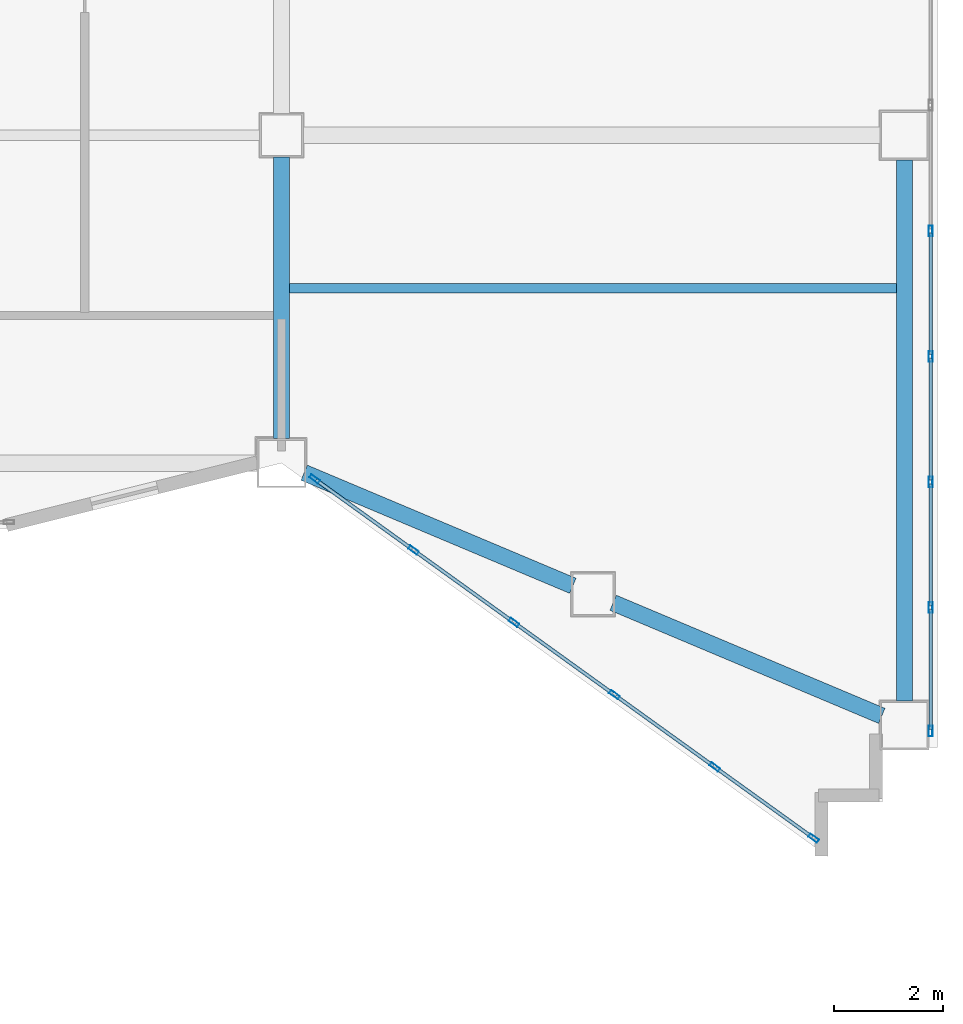
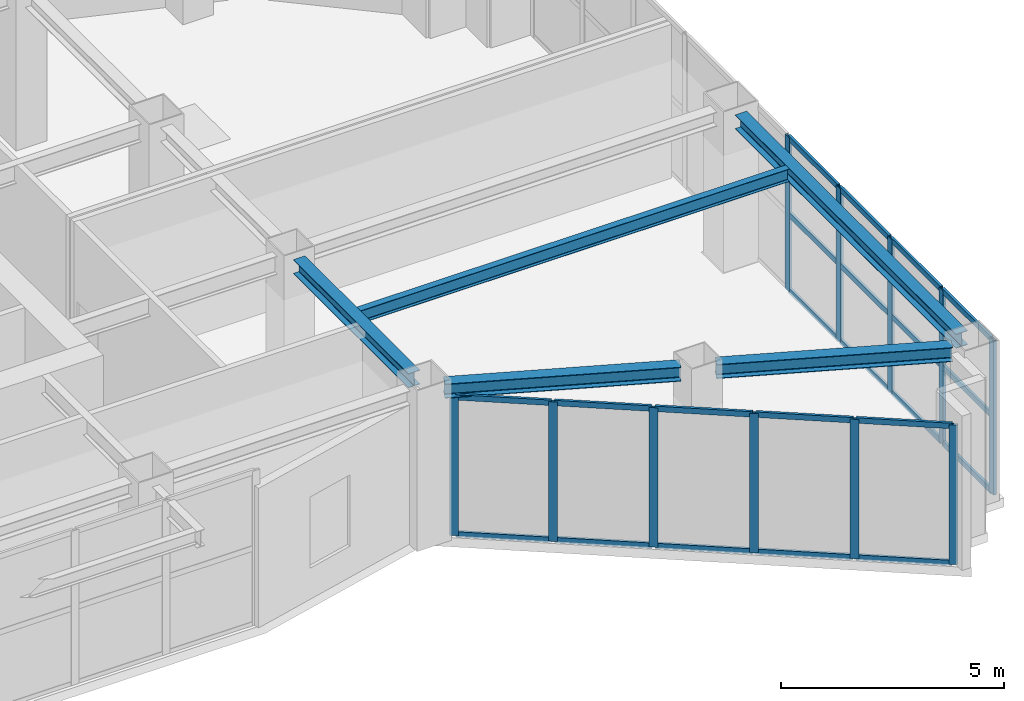
# One storey, part 5 of 16: 33 members, 5 beams, 2 elements without a shape of their own.
"""IFC4 building model written with IfcOpenShell, lengths in metres."""

import ifcopenshell
import ifcopenshell.guid

model = None  # the IFC model being written
_history = None  # IfcOwnerHistory: only IFC2X3 demands one
_inside = {}  # id of a spatial element -> (the spatial element, [elements in it])
_under = {}  # id of a project, library or spatial element -> (it, [spatial elements below it])
_declared = {}  # id of a project -> (the project, [libraries it declares])
_typed = {}  # id of a type object -> (the type object, [elements of that type])
_made_of = {}  # id of a material, layer set ... -> (it, [elements and type objects made of it])


def new_model(schema):
    """Start an empty IFC model of exactly this schema.

    Asked for "IFC4X3", IfcOpenShell would pick the latest addendum, in which some entities
    have other attributes; the version numbers below select the first issue.
    IFC2X3 requires an IfcOwnerHistory on every rooted entity: one is made here for all.
    """
    global model, _history
    if schema == "IFC4X3":
        model = ifcopenshell.file(schema_version=(4, 3, 0, 0))
    else:
        model = ifcopenshell.file(schema=schema)
    _inside.clear()
    _under.clear()
    _declared.clear()
    _typed.clear()
    _made_of.clear()
    _history = None
    if model.schema == "IFC2X3":
        org = make("IfcOrganization", Name="unknown")
        user = make(
            "IfcPersonAndOrganization",
            ThePerson=make("IfcPerson", FamilyName="unknown"),
            TheOrganization=org,
        )
        app = make(
            "IfcApplication",
            ApplicationDeveloper=org,
            Version="unknown",
            ApplicationFullName="unknown",
            ApplicationIdentifier="unknown",
        )
        _history = make(
            "IfcOwnerHistory",
            OwningUser=user,
            OwningApplication=app,
            ChangeAction="ADDED",
            CreationDate=0,
        )
    return model


def make(cls, **values):
    """One entity of the class cls with the attributes given. An attribute that is None is left unset."""
    return model.create_entity(
        cls, **{name: value for name, value in values.items() if value is not None}
    )


def rooted(cls, **values):
    """An entity with a GlobalId (a new one), such as an element, a storey or a relation."""
    return make(cls, GlobalId=ifcopenshell.guid.new(), OwnerHistory=_history, **values)


def si_unit(unit_type, name, prefix=None):
    """IfcSIUnit, for example si_unit("LENGTHUNIT", "METRE", prefix="MILLI")."""
    return make("IfcSIUnit", UnitType=unit_type, Prefix=prefix, Name=name)


def assignment(units):
    """IfcUnitAssignment: the units of a project."""
    return None if units is None else make("IfcUnitAssignment", Units=units)


def point(xyz):
    """IfcCartesianPoint."""
    return None if xyz is None else make("IfcCartesianPoint", Coordinates=xyz)


def direction(xyz):
    """IfcDirection."""
    return None if xyz is None else make("IfcDirection", DirectionRatios=xyz)


def frame(location, z_axis=None, x_axis=None):
    """IfcAxis2Placement3D, a coordinate frame: its origin and axes. An axis left out is left unset."""
    return make(
        "IfcAxis2Placement3D",
        Location=point(location),
        Axis=direction(z_axis),
        RefDirection=direction(x_axis),
    )


def frame_2d(location, x_axis=None):
    """IfcAxis2Placement2D, a coordinate frame in the plane: its origin and x axis."""
    return make(
        "IfcAxis2Placement2D", Location=point(location), RefDirection=direction(x_axis)
    )


def origin():
    """The frame at (0, 0, 0) with its axes left unset."""
    return frame((0.0, 0.0, 0.0))


def origin_2d():
    """The frame at (0, 0) in the plane with its x axis left unset."""
    return frame_2d((0.0, 0.0))


def place(relative_to, where):
    """IfcLocalPlacement: puts the frame where relative to a parent placement (None: the world)."""
    return make(
        "IfcLocalPlacement", PlacementRelTo=relative_to, RelativePlacement=where
    )


def context(
    kind, dimensions, precision=None, world=None, true_north=None, identifier=None
):
    """IfcGeometricRepresentationContext, for example the 3D "Model" context."""
    return make(
        "IfcGeometricRepresentationContext",
        ContextIdentifier=identifier,
        ContextType=kind,
        CoordinateSpaceDimension=dimensions,
        Precision=precision,
        WorldCoordinateSystem=world,
        TrueNorth=true_north,
    )


def subcontext(parent, identifier, kind, view, scale=None):
    """IfcGeometricRepresentationSubContext, for example "Body" below "Model"."""
    return make(
        "IfcGeometricRepresentationSubContext",
        ContextIdentifier=identifier,
        ContextType=kind,
        ParentContext=parent,
        TargetScale=scale,
        TargetView=view,
    )


def project(units=None, contexts=None):
    """IfcProject with its units and contexts."""
    return rooted(
        "IfcProject",
        Name="project",
        RepresentationContexts=contexts,
        UnitsInContext=assignment(units),
    )


def spatial(cls, under=None, at=None, **own):
    """A site, building, storey or space (cls), placed at a placement, below another one or the project."""
    s = rooted(cls, ObjectPlacement=at, **own)
    if under is not None:
        _under.setdefault(under.id(), (under, []))[1].append(s)
    return s


def profile(cls, at=None, kind="AREA", **sizes):
    """A parametric profile (cls). Its sizes go by their IFC names, for example OverallWidth=200.0."""
    return make(cls, ProfileType=kind, Position=at, **sizes)


def hollow_rectangle(**sizes):
    """IfcRectangleHollowProfileDef."""
    return profile("IfcRectangleHollowProfileDef", **sizes)


def i_section(**sizes):
    """IfcIShapeProfileDef."""
    return profile("IfcIShapeProfileDef", **sizes)


def extrude(swept, where, along, depth):
    """IfcExtrudedAreaSolid: the profile swept, set in the frame where, extruded along a direction by depth."""
    return make(
        "IfcExtrudedAreaSolid",
        SweptArea=swept,
        Position=where,
        ExtrudedDirection=direction(along),
        Depth=depth,
    )


def shape(context_of_items, identifier, shape_type, items):
    """IfcShapeRepresentation: the items that make up one representation, for example the "Body"."""
    return make(
        "IfcShapeRepresentation",
        ContextOfItems=context_of_items,
        RepresentationIdentifier=identifier,
        RepresentationType=shape_type,
        Items=items,
    )


def material(Name=None, Category=None):
    """IfcMaterial."""
    return make("IfcMaterial", Name=Name, Category=Category)


def layer(
    of_material, thickness, ventilated=None, Name=None, Category=None, Priority=None
):
    """IfcMaterialLayer: one layer of a wall or slab, of a material (None: an air gap)."""
    return make(
        "IfcMaterialLayer",
        Material=of_material,
        LayerThickness=thickness,
        IsVentilated=ventilated,
        Name=Name,
        Category=Category,
        Priority=Priority,
    )


def layer_set(layers, Name=None):
    """IfcMaterialLayerSet."""
    return make("IfcMaterialLayerSet", MaterialLayers=layers, LayerSetName=Name)


def material_profile(
    of_material, cross_section, Name=None, Category=None, Priority=None
):
    """IfcMaterialProfile: a cross section and its material."""
    return make(
        "IfcMaterialProfile",
        Name=Name,
        Material=of_material,
        Profile=cross_section,
        Priority=Priority,
        Category=Category,
    )


def profile_set(profiles, Name=None, composite=None):
    """IfcMaterialProfileSet."""
    return make(
        "IfcMaterialProfileSet",
        Name=Name,
        MaterialProfiles=profiles,
        CompositeProfile=composite,
    )


def made_of(thing, what):
    """Note that an element or type object is made of a material, layer set ...; save() writes the relation."""
    if what is not None:
        _made_of.setdefault(what.id(), (what, []))[1].append(thing)
    return thing


def type_object(cls, material=None, **own):
    """A type object (cls), such as IfcWallType, which elements share."""
    return made_of(rooted(cls, **own), material)


def element(
    cls,
    number,
    at=None,
    inside=None,
    cuts=None,
    type_object=None,
    material=None,
    context=None,
    identifier="Body",
    shape_type=None,
    held_by="IfcProductDefinitionShape",
    body=None,
    shapes=None,
    **own,
):
    """One element of the class cls, such as IfcWall. Its Tag is "e" and its number.

    at: its placement. inside: the storey or other place that contains it. cuts: it is an
    opening in that element (IfcRelVoidsElement). A single representation is given by context,
    identifier, shape_type and body (its items); several are given by shapes. held_by: the class
    of the entity that holds the representations. save() writes the other relations.
    """
    e = rooted(cls, Tag="e%d" % number, ObjectPlacement=at, **own)
    if body is not None:
        shapes = [shape(context, identifier, shape_type, body)]
    if shapes is not None:
        e.Representation = make(held_by, Representations=shapes)
    if inside is not None:
        _inside.setdefault(inside.id(), (inside, []))[1].append(e)
    if cuts is not None:
        rooted(
            "IfcRelVoidsElement", RelatingBuildingElement=cuts, RelatedOpeningElement=e
        )
    if type_object is not None:
        _typed.setdefault(type_object.id(), (type_object, []))[1].append(e)
    return made_of(e, material)


def aggregate(whole, parts):
    """IfcRelAggregates: a whole, such as a stair, and the parts it consists of."""
    return rooted("IfcRelAggregates", RelatingObject=whole, RelatedObjects=parts)


def save(model, path):
    """Write the relations noted so far, then the file.

    IfcRelAggregates (storeys below a building ...), IfcRelContainedInSpatialStructure (elements
    in a storey), IfcRelDefinesByType, IfcRelAssociatesMaterial and IfcRelDeclares: one each for
    every whole, place, type object, material and project.
    """
    for whole, parts in _under.values():
        aggregate(whole, parts)
    for where, things in _inside.values():
        rooted(
            "IfcRelContainedInSpatialStructure",
            RelatedElements=things,
            RelatingStructure=where,
        )
    for kind, things in _typed.values():
        rooted("IfcRelDefinesByType", RelatedObjects=things, RelatingType=kind)
    for what, things in _made_of.values():
        rooted("IfcRelAssociatesMaterial", RelatedObjects=things, RelatingMaterial=what)
    for by, libraries in _declared.values():
        rooted("IfcRelDeclares", RelatingContext=by, RelatedDefinitions=libraries)
    model.write(path)


model = new_model("IFC4")

# Units and contexts
model_context = context("Model", 3, precision=1e-05, world=origin(), true_north=direction((0.0, 1.0)))
body_context = subcontext(model_context, "Body", "Model", "MODEL_VIEW")
ifc_project = project(units=[si_unit("LENGTHUNIT", "METRE"), si_unit("AREAUNIT", "SQUARE_METRE"), si_unit("VOLUMEUNIT", "CUBIC_METRE"), si_unit("PLANEANGLEUNIT", "RADIAN"), si_unit("MASSUNIT", "GRAM", prefix="KILO")], contexts=[model_context])

# Site, building, storey
site_placement = place(None, origin())
site = spatial("IfcSite", under=ifc_project, at=site_placement, CompositionType="ELEMENT")
building_placement = place(site_placement, origin())
building = spatial("IfcBuilding", under=site, at=building_placement, Name="Haolan Belvedere Tower", CompositionType="ELEMENT")
storey_placement = place(building_placement, frame((0.0, 0.0, 164.60009765625)))
storey = spatial("IfcBuildingStorey", under=building, at=storey_placement, Name="L41", CompositionType="ELEMENT", Elevation=164.60009765625)

# Beams
ifc_material_1 = material(Name="Steel Q355B", Category="steel")
ifc_material_profile_1 = material_profile(ifc_material_1, i_section(OverallWidth=0.300048828125, OverallDepth=0.389892578125, WebThickness=0.010009765625, FlangeThickness=0.01611328125, FilletRadius=0.02197265625, at=origin_2d()), Name="Steel Q355B")
ifc_profile_set_1 = profile_set([ifc_material_profile_1], Name="Steel Q355B")
beam_type_1 = type_object("IfcBeamType", Name="BM-HM390x300x10x16", PredefinedType="SPANDREL", material=ifc_profile_set_1)
beam_1_placement = place(storey_placement, frame((52.800048828125, 22.050048828125, 4.02490234375), z_axis=(0.0, 1.0, 0.0), x_axis=(-1.0, 0.0, 0.0)))
element("IfcBeam", 1, at=beam_1_placement, inside=storey, type_object=beam_type_1, Name="L41 spandrel girder MC-T3-SE-TC-T3-E1", PredefinedType="SPANDREL", context=body_context, shape_type="SweptSolid", body=[
    extrude(i_section(OverallWidth=0.300048828125, OverallDepth=0.389892578125, WebThickness=0.010009765625, FlangeThickness=0.01611328125, FilletRadius=0.02197265625, at=origin_2d()), origin(), (0.0, 0.0, 1.0), 5.14990234375),
])
beam_2_placement = place(storey_placement, frame((64.199951171875, 17.25, 4.02490234375), z_axis=(0.0, 1.0, 0.0), x_axis=(-1.0, 0.0, 0.0)))
element("IfcBeam", 2, at=beam_2_placement, inside=storey, type_object=beam_type_1, Name="L41 spandrel girder MC-T4-SE-MC-T4-ME", PredefinedType="SPANDREL", context=body_context, shape_type="SweptSolid", body=[
    extrude(i_section(OverallWidth=0.300048828125, OverallDepth=0.389892578125, WebThickness=0.010009765625, FlangeThickness=0.01611328125, FilletRadius=0.02197265625, at=origin_2d()), origin(), (0.0, 0.0, 1.0), 9.89990234375),
])
for number, where, z_axis, x_axis, name in (
    (3, (53.21484375, 21.42529296875, 4.02490234375), (0.921637959557, -0.388050862006, 0.0), (0.388050862006, 0.921637959557, 0.0), "L41 spandrel girder MC-T3-SE-TC-T4-S1"),
    (4, (58.86865234375, 19.044677734375, 4.02490234375), (0.921637959557, -0.388050862006, 0.0), (0.388050862006, 0.921637959557, 0.0), "L41 spandrel girder TC-T4-S1-MC-T4-SE"),
):
    element("IfcBeam", number, at=place(storey_placement, frame(where, z_axis=z_axis, x_axis=x_axis)), inside=storey, type_object=beam_type_1, Name=name, PredefinedType="SPANDREL", context=body_context, shape_type="SweptSolid", body=[
        extrude(i_section(OverallWidth=0.300048828125, OverallDepth=0.389892578125, WebThickness=0.010009765625, FlangeThickness=0.01611328125, FilletRadius=0.02197265625, at=origin_2d()), origin(), (0.0, 0.0, 1.0), 5.33447265625),
    ])
ifc_material_profile_2 = material_profile(ifc_material_1, i_section(OverallWidth=0.175048828125, OverallDepth=0.35009765625, WebThickness=0.007080078125, FlangeThickness=0.010986328125, FilletRadius=0.012939453125, at=origin_2d()), Name="Steel Q355B")
ifc_profile_set_2 = profile_set([ifc_material_profile_2], Name="Steel Q355B")
beam_type_2 = type_object("IfcBeamType", Name="BM-HN350x175x7x11", PredefinedType="JOIST", material=ifc_profile_set_2)
beam_3_placement = place(storey_placement, frame((52.949951171875, 24.800048828125, 4.044921875), z_axis=(1.0, 0.0, 0.0), x_axis=(0.0, 1.0, 0.0)))
element("IfcBeam", 5, at=beam_3_placement, inside=storey, type_object=beam_type_2, Name="L41 east wing floor joist 1", PredefinedType="JOIST", context=body_context, shape_type="SweptSolid", body=[
    extrude(i_section(OverallWidth=0.175048828125, OverallDepth=0.35009765625, WebThickness=0.007080078125, FlangeThickness=0.010986328125, FilletRadius=0.012939453125, at=origin_2d()), origin(), (0.0, 0.0, 1.0), 11.10009765625),
])

# Curtain wall, members
ifc_material_2 = material(Name="Anodised champagne-silver aluminium 6063-T6 and Low-E glass", Category="aluminium")
ifc_layer = layer(ifc_material_2, 0.195068359375, Name="Anodised champagne-silver aluminium 6063-T6 and Low-E glass")
ifc_layer_set = layer_set([ifc_layer], Name="Anodised champagne-silver aluminium 6063-T6 and Low-E glass")
curtain_wall_type = type_object("IfcCurtainWallType", Name="CW-SYS-06", PredefinedType="NOTDEFINED", material=ifc_layer_set)
curtain_wall_1_placement = place(storey_placement, origin())
curtain_wall_1 = element("IfcCurtainWall", 6, at=curtain_wall_1_placement, inside=storey, type_object=curtain_wall_type, Name="L41 CW-SYS-06 ribbon curtain wall 3.1", PredefinedType="NOTDEFINED")
ifc_material_3 = material(Name="Anodised aluminium 6063-T6", Category="aluminium")
ifc_material_profile_3 = material_profile(ifc_material_3, hollow_rectangle(XDim=0.070068359375, YDim=0.195068359375, WallThickness=0.00390625, at=origin_2d()), Name="Anodised aluminium 6063-T6")
ifc_profile_set_3 = profile_set([ifc_material_profile_3], Name="Anodised aluminium 6063-T6")
member_type_1 = type_object("IfcMemberType", Name="CW-SYS-06-MUL", PredefinedType="MULLION", material=ifc_profile_set_3)
member_1_placement = place(storey_placement, frame((53.40673828125, 21.31103515625, 0.0), z_axis=(0.0, 0.0, 1.0), x_axis=(0.584297047396, 0.81153986988, 0.0)))
member_1 = element("IfcMember", 7, at=member_1_placement, type_object=member_type_1, Name="CW-06 mullion 1", PredefinedType="MULLION", context=body_context, shape_type="SweptSolid", body=[
    extrude(hollow_rectangle(XDim=0.070068359375, YDim=0.195068359375, WallThickness=0.00390625, at=origin_2d()), origin(), (0.0, 0.0, 1.0), 3.81494140625),
])
member_2_placement = place(storey_placement, frame((55.2158203125, 20.00830078125, 0.0), z_axis=(0.0, 0.0, 1.0), x_axis=(0.584297047396, 0.81153986988, 0.0)))
member_2 = element("IfcMember", 8, at=member_2_placement, type_object=member_type_1, Name="CW-06 mullion 2", PredefinedType="MULLION", context=body_context, shape_type="SweptSolid", body=[
    extrude(hollow_rectangle(XDim=0.070068359375, YDim=0.195068359375, WallThickness=0.00390625, at=origin_2d()), origin(), (0.0, 0.0, 1.0), 3.81494140625),
])
member_3_placement = place(storey_placement, frame((57.053466796875, 18.685302734375, 0.0), z_axis=(0.0, 0.0, 1.0), x_axis=(0.584297047396, 0.81153986988, 0.0)))
member_3 = element("IfcMember", 9, at=member_3_placement, type_object=member_type_1, Name="CW-06 mullion 3", PredefinedType="MULLION", context=body_context, shape_type="SweptSolid", body=[
    extrude(hollow_rectangle(XDim=0.070068359375, YDim=0.195068359375, WallThickness=0.00390625, at=origin_2d()), origin(), (0.0, 0.0, 1.0), 3.81494140625),
])
member_4_placement = place(storey_placement, frame((58.89111328125, 17.3623046875, 0.0), z_axis=(0.0, 0.0, 1.0), x_axis=(0.584297047396, 0.81153986988, 0.0)))
member_4 = element("IfcMember", 10, at=member_4_placement, type_object=member_type_1, Name="CW-06 mullion 4", PredefinedType="MULLION", context=body_context, shape_type="SweptSolid", body=[
    extrude(hollow_rectangle(XDim=0.070068359375, YDim=0.195068359375, WallThickness=0.00390625, at=origin_2d()), origin(), (0.0, 0.0, 1.0), 3.81494140625),
])
member_5_placement = place(storey_placement, frame((60.728759765625, 16.0390625, 0.0), z_axis=(0.0, 0.0, 1.0), x_axis=(0.584297047396, 0.81153986988, 0.0)))
member_5 = element("IfcMember", 11, at=member_5_placement, type_object=member_type_1, Name="CW-06 mullion 5", PredefinedType="MULLION", context=body_context, shape_type="SweptSolid", body=[
    extrude(hollow_rectangle(XDim=0.070068359375, YDim=0.195068359375, WallThickness=0.00390625, at=origin_2d()), origin(), (0.0, 0.0, 1.0), 3.81494140625),
])
member_6_placement = place(storey_placement, frame((62.5380859375, 14.736572265625, 0.0), z_axis=(0.0, 0.0, 1.0), x_axis=(0.584297047396, 0.81153986988, 0.0)))
member_6 = element("IfcMember", 12, at=member_6_placement, type_object=member_type_1, Name="CW-06 mullion 6", PredefinedType="MULLION", context=body_context, shape_type="SweptSolid", body=[
    extrude(hollow_rectangle(XDim=0.070068359375, YDim=0.195068359375, WallThickness=0.00390625, at=origin_2d()), origin(), (0.0, 0.0, 1.0), 3.81494140625),
])

curtain_wall_2_placement = place(storey_placement, origin())
curtain_wall_2 = element("IfcCurtainWall", 13, at=curtain_wall_2_placement, inside=storey, type_object=curtain_wall_type, Name="L41 CW-SYS-06 ribbon curtain wall 8.1", PredefinedType="NOTDEFINED")
member_7_placement = place(storey_placement, frame((64.679931640625, 16.695068359375, 0.0), z_axis=(0.0, 0.0, 1.0), x_axis=(-1.0, 0.0, 0.0)))
member_7 = element("IfcMember", 14, at=member_7_placement, type_object=member_type_1, Name="CW-06 mullion 1", PredefinedType="MULLION", context=body_context, shape_type="SweptSolid", body=[
    extrude(hollow_rectangle(XDim=0.070068359375, YDim=0.195068359375, WallThickness=0.00390625, at=origin_2d()), origin(), (0.0, 0.0, 1.0), 4.219970703125),
])
member_8_placement = place(storey_placement, frame((64.679931640625, 18.957763671875, 0.0), z_axis=(0.0, 0.0, 1.0), x_axis=(-1.0, 0.0, 0.0)))
member_8 = element("IfcMember", 15, at=member_8_placement, type_object=member_type_1, Name="CW-06 mullion 2", PredefinedType="MULLION", context=body_context, shape_type="SweptSolid", body=[
    extrude(hollow_rectangle(XDim=0.070068359375, YDim=0.195068359375, WallThickness=0.00390625, at=origin_2d()), origin(), (0.0, 0.0, 1.0), 4.219970703125),
])
member_9_placement = place(storey_placement, frame((64.679931640625, 21.255615234375, 0.0), z_axis=(0.0, 0.0, 1.0), x_axis=(-1.0, 0.0, 0.0)))
member_9 = element("IfcMember", 16, at=member_9_placement, type_object=member_type_1, Name="CW-06 mullion 3", PredefinedType="MULLION", context=body_context, shape_type="SweptSolid", body=[
    extrude(hollow_rectangle(XDim=0.070068359375, YDim=0.195068359375, WallThickness=0.00390625, at=origin_2d()), origin(), (0.0, 0.0, 1.0), 4.219970703125),
])
member_10_placement = place(storey_placement, frame((64.679931640625, 23.55322265625, 0.0), z_axis=(0.0, 0.0, 1.0), x_axis=(-1.0, 0.0, 0.0)))
member_10 = element("IfcMember", 17, at=member_10_placement, type_object=member_type_1, Name="CW-06 mullion 4", PredefinedType="MULLION", context=body_context, shape_type="SweptSolid", body=[
    extrude(hollow_rectangle(XDim=0.070068359375, YDim=0.195068359375, WallThickness=0.00390625, at=origin_2d()), origin(), (0.0, 0.0, 1.0), 4.219970703125),
])
member_11_placement = place(storey_placement, frame((64.679931640625, 25.85107421875, 0.0), z_axis=(0.0, 0.0, 1.0), x_axis=(-1.0, 0.0, 0.0)))
member_11 = element("IfcMember", 18, at=member_11_placement, type_object=member_type_1, Name="CW-06 mullion 5", PredefinedType="MULLION", context=body_context, shape_type="SweptSolid", body=[
    extrude(hollow_rectangle(XDim=0.070068359375, YDim=0.195068359375, WallThickness=0.00390625, at=origin_2d()), origin(), (0.0, 0.0, 1.0), 4.219970703125),
])

# Member
ifc_material_profile_4 = material_profile(ifc_material_3, hollow_rectangle(XDim=0.06494140625, YDim=0.14990234375, WallThickness=0.00390625, at=origin_2d()), Name="Anodised aluminium 6063-T6")
ifc_profile_set_4 = profile_set([ifc_material_profile_4], Name="Anodised aluminium 6063-T6")
member_type_2 = type_object("IfcMemberType", Name="CW-SYS-06-TRN", PredefinedType="USERDEFINED", material=ifc_profile_set_4)
member_12_placement = place(storey_placement, frame((53.43505859375, 21.29052734375, 0.032470703125), z_axis=(0.811542919133, -0.584292812215, 0.0), x_axis=(0.584292812215, 0.811542919133, 0.0)))
member_12 = element("IfcMember", 19, at=member_12_placement, type_object=member_type_2, Name="CW-06 transom 1.1", ObjectType="TRANSOM", PredefinedType="USERDEFINED", context=body_context, shape_type="SweptSolid", body=[
    extrude(hollow_rectangle(XDim=0.06494140625, YDim=0.14990234375, WallThickness=0.00390625, at=origin_2d()), origin(), (0.0, 0.0, 1.0), 2.159423828125),
])

member_13_placement = place(storey_placement, frame((53.43505859375, 21.29052734375, 3.782470703125), z_axis=(0.811542919133, -0.584292812215, 0.0), x_axis=(0.584292812215, 0.811542919133, 0.0)))
member_13 = element("IfcMember", 20, at=member_13_placement, type_object=member_type_2, Name="CW-06 transom 1.2", ObjectType="TRANSOM", PredefinedType="USERDEFINED", context=body_context, shape_type="SweptSolid", body=[
    extrude(hollow_rectangle(XDim=0.06494140625, YDim=0.14990234375, WallThickness=0.00390625, at=origin_2d()), origin(), (0.0, 0.0, 1.0), 2.159423828125),
])

member_14_placement = place(storey_placement, frame((55.244384765625, 19.98779296875, 0.032470703125), z_axis=(0.811570216875, -0.584254895642, 0.0), x_axis=(0.584254895642, 0.811570216875, 0.0)))
member_14 = element("IfcMember", 21, at=member_14_placement, type_object=member_type_2, Name="CW-06 transom 2.1", ObjectType="TRANSOM", PredefinedType="USERDEFINED", context=body_context, shape_type="SweptSolid", body=[
    extrude(hollow_rectangle(XDim=0.06494140625, YDim=0.14990234375, WallThickness=0.00390625, at=origin_2d()), origin(), (0.0, 0.0, 1.0), 2.1943359375),
])

member_15_placement = place(storey_placement, frame((55.244384765625, 19.98779296875, 3.782470703125), z_axis=(0.811570216875, -0.584254895642, 0.0), x_axis=(0.584254895642, 0.811570216875, 0.0)))
member_15 = element("IfcMember", 22, at=member_15_placement, type_object=member_type_2, Name="CW-06 transom 2.2", ObjectType="TRANSOM", PredefinedType="USERDEFINED", context=body_context, shape_type="SweptSolid", body=[
    extrude(hollow_rectangle(XDim=0.06494140625, YDim=0.14990234375, WallThickness=0.00390625, at=origin_2d()), origin(), (0.0, 0.0, 1.0), 2.1943359375),
])

member_16_placement = place(storey_placement, frame((57.08203125, 18.664794921875, 0.032470703125), z_axis=(0.811517458938, -0.584328173066, 0.0), x_axis=(0.584328173066, 0.811517458938, 0.0)))
member_16 = element("IfcMember", 23, at=member_16_placement, type_object=member_type_2, Name="CW-06 transom 3.1", ObjectType="TRANSOM", PredefinedType="USERDEFINED", context=body_context, shape_type="SweptSolid", body=[
    extrude(hollow_rectangle(XDim=0.06494140625, YDim=0.14990234375, WallThickness=0.00390625, at=origin_2d()), origin(), (0.0, 0.0, 1.0), 2.1943359375),
])

member_17_placement = place(storey_placement, frame((57.08203125, 18.664794921875, 3.782470703125), z_axis=(0.811517458938, -0.584328173066, 0.0), x_axis=(0.584328173066, 0.811517458938, 0.0)))
member_17 = element("IfcMember", 24, at=member_17_placement, type_object=member_type_2, Name="CW-06 transom 3.2", ObjectType="TRANSOM", PredefinedType="USERDEFINED", context=body_context, shape_type="SweptSolid", body=[
    extrude(hollow_rectangle(XDim=0.06494140625, YDim=0.14990234375, WallThickness=0.00390625, at=origin_2d()), origin(), (0.0, 0.0, 1.0), 2.1943359375),
])

member_18_placement = place(storey_placement, frame((58.919677734375, 17.341796875, 0.032470703125), z_axis=(0.811517458938, -0.584328173066, 0.0), x_axis=(0.584328173066, 0.811517458938, 0.0)))
member_18 = element("IfcMember", 25, at=member_18_placement, type_object=member_type_2, Name="CW-06 transom 4.1", ObjectType="TRANSOM", PredefinedType="USERDEFINED", context=body_context, shape_type="SweptSolid", body=[
    extrude(hollow_rectangle(XDim=0.06494140625, YDim=0.14990234375, WallThickness=0.00390625, at=origin_2d()), origin(), (0.0, 0.0, 1.0), 2.1943359375),
])

member_19_placement = place(storey_placement, frame((58.919677734375, 17.341796875, 3.782470703125), z_axis=(0.811517458938, -0.584328173066, 0.0), x_axis=(0.584328173066, 0.811517458938, 0.0)))
member_19 = element("IfcMember", 26, at=member_19_placement, type_object=member_type_2, Name="CW-06 transom 4.2", ObjectType="TRANSOM", PredefinedType="USERDEFINED", context=body_context, shape_type="SweptSolid", body=[
    extrude(hollow_rectangle(XDim=0.06494140625, YDim=0.14990234375, WallThickness=0.00390625, at=origin_2d()), origin(), (0.0, 0.0, 1.0), 2.1943359375),
])

member_20_placement = place(storey_placement, frame((60.757080078125, 16.018798828125, 0.032470703125), z_axis=(0.811542919133, -0.584292812215, 0.0), x_axis=(0.584292812215, 0.811542919133, 0.0)))
member_20 = element("IfcMember", 27, at=member_20_placement, type_object=member_type_2, Name="CW-06 transom 5.1", ObjectType="TRANSOM", PredefinedType="USERDEFINED", context=body_context, shape_type="SweptSolid", body=[
    extrude(hollow_rectangle(XDim=0.06494140625, YDim=0.14990234375, WallThickness=0.00390625, at=origin_2d()), origin(), (0.0, 0.0, 1.0), 2.159423828125),
])

member_21_placement = place(storey_placement, frame((60.757080078125, 16.018798828125, 3.782470703125), z_axis=(0.811542919133, -0.584292812215, 0.0), x_axis=(0.584292812215, 0.811542919133, 0.0)))
member_21 = element("IfcMember", 28, at=member_21_placement, type_object=member_type_2, Name="CW-06 transom 5.2", ObjectType="TRANSOM", PredefinedType="USERDEFINED", context=body_context, shape_type="SweptSolid", body=[
    extrude(hollow_rectangle(XDim=0.06494140625, YDim=0.14990234375, WallThickness=0.00390625, at=origin_2d()), origin(), (0.0, 0.0, 1.0), 2.159423828125),
])

aggregate(curtain_wall_1, [member_1, member_2, member_3, member_4, member_5, member_6, member_12, member_13, member_14, member_15, member_16, member_17, member_18, member_19, member_20, member_21])

member_22_placement = place(storey_placement, frame((64.679931640625, 16.72998046875, 0.032470703125), z_axis=(0.0, 1.0, 0.0), x_axis=(-1.0, 0.0, 0.0)))
member_22 = element("IfcMember", 29, at=member_22_placement, type_object=member_type_2, Name="CW-06 transom 1.1", ObjectType="TRANSOM", PredefinedType="USERDEFINED", context=body_context, shape_type="SweptSolid", body=[
    extrude(hollow_rectangle(XDim=0.06494140625, YDim=0.14990234375, WallThickness=0.00390625, at=origin_2d()), origin(), (0.0, 0.0, 1.0), 2.19287109375),
])

member_23_placement = place(storey_placement, frame((64.679931640625, 16.72998046875, 2.10986328125), z_axis=(0.0, 1.0, 0.0), x_axis=(-1.0, 0.0, 0.0)))
member_23 = element("IfcMember", 30, at=member_23_placement, type_object=member_type_2, Name="CW-06 transom 1.2", ObjectType="TRANSOM", PredefinedType="USERDEFINED", context=body_context, shape_type="SweptSolid", body=[
    extrude(hollow_rectangle(XDim=0.06494140625, YDim=0.14990234375, WallThickness=0.00390625, at=origin_2d()), origin(), (0.0, 0.0, 1.0), 2.19287109375),
])

member_24_placement = place(storey_placement, frame((64.679931640625, 16.72998046875, 4.1875), z_axis=(0.0, 1.0, 0.0), x_axis=(-1.0, 0.0, 0.0)))
member_24 = element("IfcMember", 31, at=member_24_placement, type_object=member_type_2, Name="CW-06 transom 1.3", ObjectType="TRANSOM", PredefinedType="USERDEFINED", context=body_context, shape_type="SweptSolid", body=[
    extrude(hollow_rectangle(XDim=0.06494140625, YDim=0.14990234375, WallThickness=0.00390625, at=origin_2d()), origin(), (0.0, 0.0, 1.0), 2.19287109375),
])

member_25_placement = place(storey_placement, frame((64.679931640625, 18.99267578125, 0.032470703125), z_axis=(0.0, 1.0, 0.0), x_axis=(-1.0, 0.0, 0.0)))
member_25 = element("IfcMember", 32, at=member_25_placement, type_object=member_type_2, Name="CW-06 transom 2.1", ObjectType="TRANSOM", PredefinedType="USERDEFINED", context=body_context, shape_type="SweptSolid", body=[
    extrude(hollow_rectangle(XDim=0.06494140625, YDim=0.14990234375, WallThickness=0.00390625, at=origin_2d()), origin(), (0.0, 0.0, 1.0), 2.227783203125),
])

member_26_placement = place(storey_placement, frame((64.679931640625, 18.99267578125, 2.10986328125), z_axis=(0.0, 1.0, 0.0), x_axis=(-1.0, 0.0, 0.0)))
member_26 = element("IfcMember", 33, at=member_26_placement, type_object=member_type_2, Name="CW-06 transom 2.2", ObjectType="TRANSOM", PredefinedType="USERDEFINED", context=body_context, shape_type="SweptSolid", body=[
    extrude(hollow_rectangle(XDim=0.06494140625, YDim=0.14990234375, WallThickness=0.00390625, at=origin_2d()), origin(), (0.0, 0.0, 1.0), 2.227783203125),
])

member_27_placement = place(storey_placement, frame((64.679931640625, 18.99267578125, 4.1875), z_axis=(0.0, 1.0, 0.0), x_axis=(-1.0, 0.0, 0.0)))
member_27 = element("IfcMember", 34, at=member_27_placement, type_object=member_type_2, Name="CW-06 transom 2.3", ObjectType="TRANSOM", PredefinedType="USERDEFINED", context=body_context, shape_type="SweptSolid", body=[
    extrude(hollow_rectangle(XDim=0.06494140625, YDim=0.14990234375, WallThickness=0.00390625, at=origin_2d()), origin(), (0.0, 0.0, 1.0), 2.227783203125),
])

member_28_placement = place(storey_placement, frame((64.679931640625, 21.29052734375, 0.032470703125), z_axis=(0.0, 1.0, 0.0), x_axis=(-1.0, 0.0, 0.0)))
member_28 = element("IfcMember", 35, at=member_28_placement, type_object=member_type_2, Name="CW-06 transom 3.1", ObjectType="TRANSOM", PredefinedType="USERDEFINED", context=body_context, shape_type="SweptSolid", body=[
    extrude(hollow_rectangle(XDim=0.06494140625, YDim=0.14990234375, WallThickness=0.00390625, at=origin_2d()), origin(), (0.0, 0.0, 1.0), 2.227783203125),
])

member_29_placement = place(storey_placement, frame((64.679931640625, 21.29052734375, 2.10986328125), z_axis=(0.0, 1.0, 0.0), x_axis=(-1.0, 0.0, 0.0)))
member_29 = element("IfcMember", 36, at=member_29_placement, type_object=member_type_2, Name="CW-06 transom 3.2", ObjectType="TRANSOM", PredefinedType="USERDEFINED", context=body_context, shape_type="SweptSolid", body=[
    extrude(hollow_rectangle(XDim=0.06494140625, YDim=0.14990234375, WallThickness=0.00390625, at=origin_2d()), origin(), (0.0, 0.0, 1.0), 2.227783203125),
])

member_30_placement = place(storey_placement, frame((64.679931640625, 21.29052734375, 4.1875), z_axis=(0.0, 1.0, 0.0), x_axis=(-1.0, 0.0, 0.0)))
member_30 = element("IfcMember", 37, at=member_30_placement, type_object=member_type_2, Name="CW-06 transom 3.3", ObjectType="TRANSOM", PredefinedType="USERDEFINED", context=body_context, shape_type="SweptSolid", body=[
    extrude(hollow_rectangle(XDim=0.06494140625, YDim=0.14990234375, WallThickness=0.00390625, at=origin_2d()), origin(), (0.0, 0.0, 1.0), 2.227783203125),
])

member_31_placement = place(storey_placement, frame((64.679931640625, 23.58837890625, 0.032470703125), z_axis=(0.0, 1.0, 0.0), x_axis=(-1.0, 0.0, 0.0)))
member_31 = element("IfcMember", 38, at=member_31_placement, type_object=member_type_2, Name="CW-06 transom 4.1", ObjectType="TRANSOM", PredefinedType="USERDEFINED", context=body_context, shape_type="SweptSolid", body=[
    extrude(hollow_rectangle(XDim=0.06494140625, YDim=0.14990234375, WallThickness=0.00390625, at=origin_2d()), origin(), (0.0, 0.0, 1.0), 2.227783203125),
])

member_32_placement = place(storey_placement, frame((64.679931640625, 23.58837890625, 2.10986328125), z_axis=(0.0, 1.0, 0.0), x_axis=(-1.0, 0.0, 0.0)))
member_32 = element("IfcMember", 39, at=member_32_placement, type_object=member_type_2, Name="CW-06 transom 4.2", ObjectType="TRANSOM", PredefinedType="USERDEFINED", context=body_context, shape_type="SweptSolid", body=[
    extrude(hollow_rectangle(XDim=0.06494140625, YDim=0.14990234375, WallThickness=0.00390625, at=origin_2d()), origin(), (0.0, 0.0, 1.0), 2.227783203125),
])

member_33_placement = place(storey_placement, frame((64.679931640625, 23.58837890625, 4.1875), z_axis=(0.0, 1.0, 0.0), x_axis=(-1.0, 0.0, 0.0)))
member_33 = element("IfcMember", 40, at=member_33_placement, type_object=member_type_2, Name="CW-06 transom 4.3", ObjectType="TRANSOM", PredefinedType="USERDEFINED", context=body_context, shape_type="SweptSolid", body=[
    extrude(hollow_rectangle(XDim=0.06494140625, YDim=0.14990234375, WallThickness=0.00390625, at=origin_2d()), origin(), (0.0, 0.0, 1.0), 2.227783203125),
])

aggregate(curtain_wall_2, [member_7, member_8, member_9, member_10, member_11, member_22, member_23, member_24, member_25, member_26, member_27, member_28, member_29, member_30, member_31, member_32, member_33])

save(model, "model.ifc")
